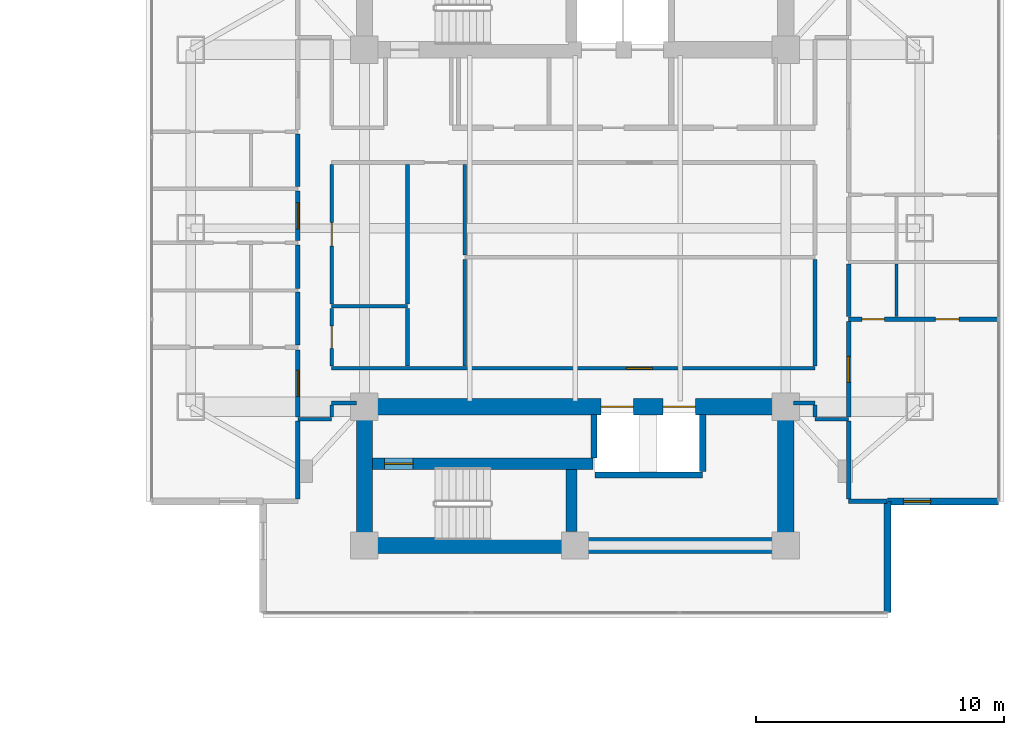
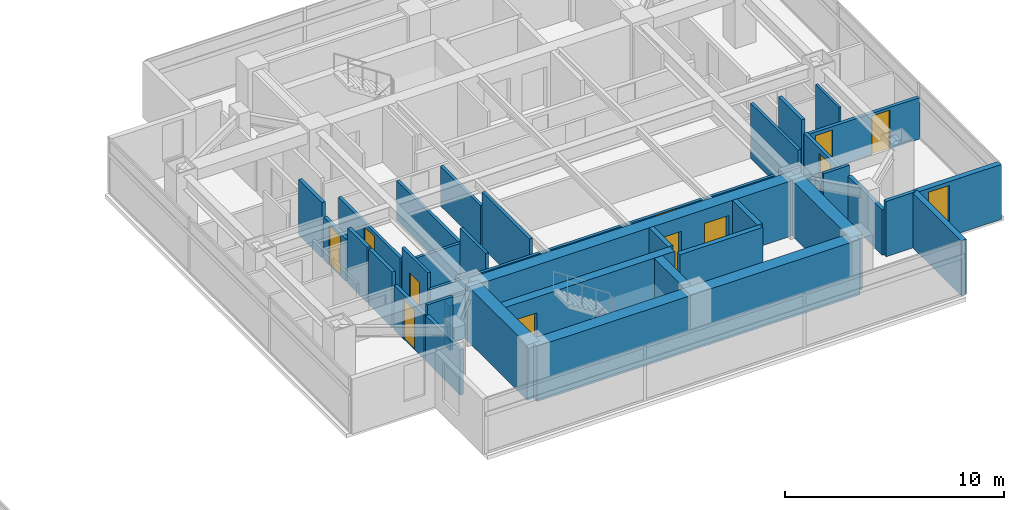
# One storey, part 18 of 26: 38 walls, 11 doors, 1 window, 12 openings.
"""IFC4 building model written with IfcOpenShell, lengths in metres."""

from ifc_helpers import new_model, si_unit, direction, frame, frame_2d, origin, place, context, subcontext, project, spatial, rectangle, extrude, material, layer, layer_set, type_object, element, fill, save


model = new_model("IFC4")

# Units and contexts
model_context = context("Model", 3, precision=1e-05, world=origin(), true_north=direction((0.0, 1.0)))
body_context = subcontext(model_context, "Body", "Model", "MODEL_VIEW")
ifc_project = project(units=[si_unit("LENGTHUNIT", "METRE"), si_unit("AREAUNIT", "SQUARE_METRE"), si_unit("VOLUMEUNIT", "CUBIC_METRE"), si_unit("PLANEANGLEUNIT", "RADIAN"), si_unit("MASSUNIT", "GRAM", prefix="KILO")], contexts=[model_context])

# Site, building, storey
site_placement = place(None, origin())
site = spatial("IfcSite", under=ifc_project, at=site_placement, CompositionType="ELEMENT")
building_placement = place(site_placement, origin())
building = spatial("IfcBuilding", under=site, at=building_placement, Name="Mirazonda Arch Towers", CompositionType="ELEMENT")
storey_placement = place(building_placement, frame((0.0, 0.0, 121.39990234375)))
storey = spatial("IfcBuildingStorey", under=building, at=storey_placement, Name="L34", CompositionType="ELEMENT", Elevation=121.39990234375)

# Wall, opening, door
ifc_material_1 = material(Name="Concrete C50/60", Category="concrete")
ifc_layer_1 = layer(ifc_material_1, 0.449951171875, Name="WALL-CORE-450")
ifc_layer_set_1 = layer_set([ifc_layer_1], Name="Concrete C50/60")
wall_type_1 = type_object("IfcWallType", Name="WALL-CORE-450", PredefinedType="SHEAR", material=ifc_layer_set_1)
wall_1_placement = place(storey_placement, frame((68.320068359375, 18.5, 0.0), z_axis=(0.0, 0.0, 1.0), x_axis=(1.0, 0.0, 0.0)))
wall_1 = element("IfcWall", 1, at=wall_1_placement, inside=storey, type_object=wall_type_1, Name="L34 Stair Core Shear Wall 014", PredefinedType="SHEAR", context=body_context, shape_type="SweptSolid", body=[
    extrude(rectangle(XDim=8.89990234375, YDim=0.449951171875, at=frame_2d((4.449951171875, 0.0))), origin(), (0.0, 0.0, 1.0), 3.080078125),
])
opening_1_placement = place(wall_1_placement, frame((0.4951171875, 0.0, 0.0)))
opening_1 = element("IfcOpeningElement", 2, at=opening_1_placement, cuts=wall_1, Name="Opening DR-135", PredefinedType="OPENING", context=body_context, shape_type="SweptSolid", body=[
    extrude(rectangle(XDim=1.14990234375, YDim=2.199951171875, at=frame_2d((0.574951171875, 1.10009765625))), frame((0.0, 0.23486328125, 0.0), z_axis=(0.0, -1.0, 0.0), x_axis=(1.0, 0.0, 0.0)), (0.0, 0.0, 1.0), 0.469970703125),
])
ifc_material_2 = material(Name="Architectural Brushed Steel S355", Category="steel")
door_type_1 = type_object("IfcDoorType", Name="DOOR-STAIR-FD90-1150", OperationType="NOTDEFINED", PredefinedType="DOOR", material=ifc_material_2)
door_1_placement = place(opening_1_placement, origin())
door_1 = element("IfcDoor", 3, at=door_1_placement, inside=storey, type_object=door_type_1, Name="L34 East Protected Stair South Door", OperationType="SINGLE_SWING_LEFT", OverallHeight=2.199951171875, OverallWidth=1.14990234375, PredefinedType="DOOR", context=body_context, shape_type="SweptSolid", body=[
    extrude(rectangle(XDim=1.14990234375, YDim=2.199951171875, at=frame_2d((0.574951171875, 1.10009765625))), frame((0.0, 0.02490234375, 0.0), z_axis=(0.0, -1.0, 0.0), x_axis=(1.0, 0.0, 0.0)), (0.0, 0.0, 1.0), 0.050048828125),
])
fill(opening_1, door_1)

# Walls
wall_2_placement = place(storey_placement, frame((76.360107421875, 15.764892578125, 0.0), z_axis=(0.0, 0.0, 1.0), x_axis=(0.0, 1.0, 0.0)))
element("IfcWall", 4, at=wall_2_placement, inside=storey, type_object=wall_type_1, Name="L34 Stair Core Shear Wall 140", PredefinedType="SHEAR", context=body_context, shape_type="SweptSolid", body=[
    extrude(rectangle(XDim=2.5, YDim=0.449951171875, at=frame_2d((1.25, 0.0))), origin(), (0.0, 0.0, 1.0), 3.080078125),
])
ifc_material_3 = material(Name="Concrete C60/75", Category="concrete")
ifc_layer_2 = layer(ifc_material_3, 0.64990234375, Name="WALL-CORE-650")
ifc_layer_set_2 = layer_set([ifc_layer_2], Name="Concrete C60/75")
wall_type_2 = type_object("IfcWallType", Name="WALL-CORE-650", PredefinedType="SHEAR", material=ifc_layer_set_2)
wall_3_placement = place(storey_placement, frame((68.0, 15.199951171875, 0.0), z_axis=(0.0, 0.0, 1.0), x_axis=(1.0, 0.0, 0.0)))
element("IfcWall", 5, at=wall_3_placement, inside=storey, type_object=wall_type_2, Name="L34 T2S-S Core Shear Wall", PredefinedType="SHEAR", context=body_context, shape_type="SweptSolid", body=[
    extrude(rectangle(XDim=17.0, YDim=0.64990234375, at=frame_2d((8.5, 0.0))), origin(), (0.0, 0.0, 1.0), 3.080078125),
])
for number, where, z_axis, x_axis, name in (
    (6, (68.0, 15.199951171875, 0.0), (0.0, 0.0, 1.0), (0.0, 1.0, 0.0), "L34 T2S-W Core Shear Wall"),
    (7, (85.0, 15.199951171875, 0.0), (0.0, 0.0, 1.0), (0.0, 1.0, 0.0), "L34 T2S-E Core Shear Wall"),
):
    element("IfcWall", number, at=place(storey_placement, frame(where, z_axis=z_axis, x_axis=x_axis)), inside=storey, type_object=wall_type_2, Name=name, PredefinedType="SHEAR", context=body_context, shape_type="SweptSolid", body=[
        extrude(rectangle(XDim=5.60009765625, YDim=0.64990234375, at=frame_2d((2.800048828125, 0.0))), origin(), (0.0, 0.0, 1.0), 3.080078125),
    ])

# Wall, openings, doors
wall_4_placement = place(storey_placement, frame((68.0, 20.800048828125, 0.0), z_axis=(0.0, 0.0, 1.0), x_axis=(1.0, 0.0, 0.0)))
wall_4 = element("IfcWall", 8, at=wall_4_placement, inside=storey, type_object=wall_type_2, Name="L34 T2S-N Core Shear Wall", PredefinedType="SHEAR", context=body_context, shape_type="SweptSolid", body=[
    extrude(rectangle(XDim=17.0, YDim=0.64990234375, at=frame_2d((8.5, 0.0))), origin(), (0.0, 0.0, 1.0), 3.080078125),
])
opening_2_placement = place(wall_4_placement, frame((9.550048828125, 0.0, 0.0)))
opening_2 = element("IfcOpeningElement", 9, at=opening_2_placement, cuts=wall_4, Name="Opening LD-111", PredefinedType="OPENING", context=body_context, shape_type="SweptSolid", body=[
    extrude(rectangle(XDim=1.300048828125, YDim=2.300048828125, at=frame_2d((0.64990234375, 1.14990234375))), frame((0.0, 0.3349609375, 0.0), z_axis=(0.0, -1.0, 0.0), x_axis=(1.0, 0.0, 0.0)), (0.0, 0.0, 1.0), 0.669921875),
])
opening_3_placement = place(wall_4_placement, frame((12.050048828125, 0.0, 0.0)))
opening_3 = element("IfcOpeningElement", 10, at=opening_3_placement, cuts=wall_4, Name="Opening LD-111", PredefinedType="OPENING", context=body_context, shape_type="SweptSolid", body=[
    extrude(rectangle(XDim=1.300048828125, YDim=2.300048828125, at=frame_2d((0.64990234375, 1.14990234375))), frame((0.0, 0.3349609375, 0.0), z_axis=(0.0, -1.0, 0.0), x_axis=(1.0, 0.0, 0.0)), (0.0, 0.0, 1.0), 0.669921875),
])
door_type_2 = type_object("IfcDoorType", Name="DOOR-LIFT-LAND-1300", OperationType="NOTDEFINED", PredefinedType="DOOR", material=ifc_material_2)
door_2_placement = place(opening_2_placement, origin())
door_2 = element("IfcDoor", 11, at=door_2_placement, inside=storey, type_object=door_type_2, Name="L34 Lift Landing Sliding Door PL-T2H1", OperationType="DOUBLE_DOOR_SLIDING", OverallHeight=2.300048828125, OverallWidth=1.300048828125, PredefinedType="DOOR", context=body_context, shape_type="SweptSolid", body=[
    extrude(rectangle(XDim=1.300048828125, YDim=2.300048828125, at=frame_2d((0.64990234375, 1.14990234375))), frame((0.0, 0.02490234375, 0.0), z_axis=(0.0, -1.0, 0.0), x_axis=(1.0, 0.0, 0.0)), (0.0, 0.0, 1.0), 0.050048828125),
])
fill(opening_2, door_2)
door_3_placement = place(opening_3_placement, origin())
door_3 = element("IfcDoor", 12, at=door_3_placement, inside=storey, type_object=door_type_2, Name="L34 Lift Landing Sliding Door PL-T2H2", OperationType="DOUBLE_DOOR_SLIDING", OverallHeight=2.300048828125, OverallWidth=1.300048828125, PredefinedType="DOOR", context=body_context, shape_type="SweptSolid", body=[
    extrude(rectangle(XDim=1.300048828125, YDim=2.300048828125, at=frame_2d((0.64990234375, 1.14990234375))), frame((0.0, 0.02490234375, 0.0), z_axis=(0.0, -1.0, 0.0), x_axis=(1.0, 0.0, 0.0)), (0.0, 0.0, 1.0), 0.050048828125),
])
fill(opening_3, door_3)

# Wall, opening, window
ifc_material_4 = material(Name="Precast Concrete C40/50", Category="concrete")
ifc_layer_3 = layer(ifc_material_4, 0.280029296875, Name="WALL-EXT-WALL-280")
ifc_layer_set_3 = layer_set([ifc_layer_3], Name="Precast Concrete C40/50")
wall_type_3 = type_object("IfcWallType", Name="WALL-EXT-WALL-280", PredefinedType="SOLIDWALL", material=ifc_layer_set_3)
wall_5_placement = place(storey_placement, frame((89.096435546875, 16.984130859375, 0.0), z_axis=(0.0, 0.0, 1.0), x_axis=(1.0, 0.0, 0.0)))
wall_5 = element("IfcWall", 13, at=wall_5_placement, inside=storey, type_object=wall_type_3, Name="L34 T2 Corner Notch Return Wall WL-L34-T2-CSE1", PredefinedType="SOLIDWALL", context=body_context, shape_type="SweptSolid", body=[
    extrude(rectangle(XDim=4.486572265625, YDim=0.280029296875, at=frame_2d((2.2431640625, 0.0))), origin(), (0.0, 0.0, 1.0), 3.06005859375),
])
opening_4_placement = place(wall_5_placement, frame((0.64990234375, 0.0, 0.85009765625)))
opening_4 = element("IfcOpeningElement", 14, at=opening_4_placement, cuts=wall_5, Name="Opening WN-108", PredefinedType="OPENING", context=body_context, shape_type="SweptSolid", body=[
    extrude(rectangle(XDim=1.10009765625, YDim=2.0, at=frame_2d((0.550048828125, 1.0))), frame((0.0, 0.14990234375, 0.0), z_axis=(0.0, -1.0, 0.0), x_axis=(1.0, 0.0, 0.0)), (0.0, 0.0, 1.0), 0.300048828125),
])
ifc_material_5 = material(Name="Insulated Low-E Solar Glass", Category="glass")
window_type = type_object("IfcWindowType", Name="WIN-NOTCH-1100x2000", PartitioningType="SINGLE_PANEL", PredefinedType="WINDOW", material=ifc_material_5)
window_placement = place(opening_4_placement, origin())
window = element("IfcWindow", 15, at=window_placement, inside=storey, type_object=window_type, Name="L34 Punched Facade Window WN-L34-T2-CSE1", OverallHeight=2.0, OverallWidth=1.10009765625, PartitioningType="SINGLE_PANEL", PredefinedType="WINDOW", context=body_context, shape_type="SweptSolid", body=[
    extrude(rectangle(XDim=1.10009765625, YDim=2.0, at=frame_2d((0.550048828125, 1.0))), frame((0.0, 0.030029296875, 0.0), z_axis=(0.0, -1.0, 0.0), x_axis=(1.0, 0.0, 0.0)), (0.0, 0.0, 1.0), 0.06005859375),
])
fill(opening_4, window)

# Walls
wall_6_placement = place(storey_placement, frame((89.096435546875, 12.497802734375, 0.0), z_axis=(0.0, 0.0, 1.0), x_axis=(0.0, 1.0, 0.0)))
element("IfcWall", 16, at=wall_6_placement, inside=storey, type_object=wall_type_3, Name="L34 T2 Corner Notch Return Wall WL-L34-T2-CSE2", PredefinedType="SOLIDWALL", context=body_context, shape_type="SweptSolid", body=[
    extrude(rectangle(XDim=4.486328125, YDim=0.280029296875, at=frame_2d((2.2431640625, 0.0))), origin(), (0.0, 0.0, 1.0), 3.06005859375),
])
ifc_material_6 = material(Name="Fire-Rated Gypsum Stud Partition")
ifc_layer_4 = layer(ifc_material_6, 0.14990234375, Name="WALL-PART-CORR-150")
ifc_layer_set_4 = layer_set([ifc_layer_4], Name="Fire-Rated Gypsum Stud Partition")
wall_type_4 = type_object("IfcWallType", Name="WALL-PART-CORR-150", PredefinedType="PARTITIONING", material=ifc_layer_set_4)
wall_7_placement = place(storey_placement, frame((65.320068359375, 20.300048828125, 0.0), z_axis=(0.0, 0.0, 1.0), x_axis=(1.0, 0.0, 0.0)))
element("IfcWall", 17, at=wall_7_placement, inside=storey, type_object=wall_type_4, Name="L34 Interior Partition 017", PredefinedType="PARTITIONING", context=body_context, shape_type="SweptSolid", body=[
    extrude(rectangle(XDim=1.35986328125, YDim=0.14990234375, at=frame_2d((0.679931640625, 0.0))), origin(), (0.0, 0.0, 1.0), 3.080078125),
])
wall_8_placement = place(storey_placement, frame((86.179931640625, 20.300048828125, 0.0), z_axis=(0.0, 0.0, 1.0), x_axis=(1.0, 0.0, 0.0)))
element("IfcWall", 18, at=wall_8_placement, inside=storey, type_object=wall_type_4, Name="L34 Interior Partition 018", PredefinedType="PARTITIONING", context=body_context, shape_type="SweptSolid", body=[
    extrude(rectangle(XDim=1.360107421875, YDim=0.14990234375, at=frame_2d((0.68017578125, 0.0))), origin(), (0.0, 0.0, 1.0), 3.080078125),
])
wall_9_placement = place(storey_placement, frame((66.679931640625, 20.949951171875, 0.0), z_axis=(0.0, 0.0, 1.0), x_axis=(1.0, 0.0, 0.0)))
element("IfcWall", 19, at=wall_9_placement, inside=storey, type_object=wall_type_4, Name="L34 Interior Partition 020", PredefinedType="PARTITIONING", context=body_context, shape_type="SweptSolid", body=[
    extrude(rectangle(XDim=1.0, YDim=0.14990234375, at=frame_2d((0.5, 0.0))), origin(), (0.0, 0.0, 1.0), 2.47216796875),
])
wall_10_placement = place(storey_placement, frame((85.320068359375, 20.949951171875, 0.0), z_axis=(0.0, 0.0, 1.0), x_axis=(1.0, 0.0, 0.0)))
element("IfcWall", 20, at=wall_10_placement, inside=storey, type_object=wall_type_4, Name="L34 Interior Partition 021", PredefinedType="PARTITIONING", context=body_context, shape_type="SweptSolid", body=[
    extrude(rectangle(XDim=0.85986328125, YDim=0.14990234375, at=frame_2d((0.429931640625, 0.0))), origin(), (0.0, 0.0, 1.0), 2.47216796875),
])

# Wall, opening, door
wall_11_placement = place(storey_placement, frame((66.679931640625, 22.35009765625, 0.0), z_axis=(0.0, 0.0, 1.0), x_axis=(1.0, 0.0, 0.0)))
wall_11 = element("IfcWall", 21, at=wall_11_placement, inside=storey, type_object=wall_type_4, Name="L34 Interior Partition 022", PredefinedType="PARTITIONING", context=body_context, shape_type="SweptSolid", body=[
    extrude(rectangle(XDim=19.5, YDim=0.14990234375, at=frame_2d((9.75, 0.0))), origin(), (0.0, 0.0, 1.0), 2.216064453125),
])
opening_5_placement = place(wall_11_placement, frame((11.889892578125, 0.0, 0.0)))
opening_5 = element("IfcOpeningElement", 22, at=opening_5_placement, cuts=wall_11, Name="Opening DR-121", PredefinedType="OPENING", context=body_context, shape_type="SweptSolid", body=[
    extrude(rectangle(XDim=1.050048828125, YDim=2.199951171875, at=frame_2d((0.52490234375, 1.10009765625))), frame((0.0, 0.0849609375, 0.0), z_axis=(0.0, -1.0, 0.0), x_axis=(1.0, 0.0, 0.0)), (0.0, 0.0, 1.0), 0.169921875),
])
door_type_3 = type_object("IfcDoorType", Name="DOOR-SUITE-FD60-1050", OperationType="NOTDEFINED", PredefinedType="DOOR", material=ifc_material_2)
door_4_placement = place(opening_5_placement, origin())
door_4 = element("IfcDoor", 23, at=door_4_placement, inside=storey, type_object=door_type_3, Name="L34 Chamber Music & Screening Salon Door", OperationType="SINGLE_SWING_RIGHT", OverallHeight=2.199951171875, OverallWidth=1.050048828125, PredefinedType="DOOR", context=body_context, shape_type="SweptSolid", body=[
    extrude(rectangle(XDim=1.050048828125, YDim=2.199951171875, at=frame_2d((0.52490234375, 1.10009765625))), frame((0.0, 0.02490234375, 0.0), z_axis=(0.0, -1.0, 0.0), x_axis=(1.0, 0.0, 0.0)), (0.0, 0.0, 1.0), 0.050048828125),
])
fill(opening_5, door_4)

# Walls
wall_12_placement = place(storey_placement, frame((66.679931640625, 24.85009765625, 0.0), z_axis=(0.0, 0.0, 1.0), x_axis=(1.0, 0.0, 0.0)))
element("IfcWall", 24, at=wall_12_placement, inside=storey, type_object=wall_type_4, Name="L34 Interior Partition 028", PredefinedType="PARTITIONING", context=body_context, shape_type="SweptSolid", body=[
    extrude(rectangle(XDim=3.070068359375, YDim=0.14990234375, at=frame_2d((1.53515625, 0.0))), origin(), (0.0, 0.0, 1.0), 2.216064453125),
])
wall_13_placement = place(storey_placement, frame((66.679931640625, 20.385009765625, 0.0), z_axis=(0.0, 0.0, 1.0), x_axis=(0.0, 1.0, 0.0)))
element("IfcWall", 25, at=wall_13_placement, inside=storey, type_object=wall_type_4, Name="L34 Interior Partition 128", PredefinedType="PARTITIONING", context=body_context, shape_type="SweptSolid", body=[
    extrude(rectangle(XDim=0.47998046875, YDim=0.14990234375, at=frame_2d((0.239990234375, 0.0))), origin(), (0.0, 0.0, 1.0), 2.47216796875),
])

# Wall, opening, door
wall_14_placement = place(storey_placement, frame((66.679931640625, 22.43505859375, 0.0), z_axis=(0.0, 0.0, 1.0), x_axis=(0.0, 1.0, 0.0)))
wall_14 = element("IfcWall", 26, at=wall_14_placement, inside=storey, type_object=wall_type_4, Name="L34 Interior Partition 129", PredefinedType="PARTITIONING", context=body_context, shape_type="SweptSolid", body=[
    extrude(rectangle(XDim=2.329833984375, YDim=0.14990234375, at=frame_2d((1.1650390625, 0.0))), origin(), (0.0, 0.0, 1.0), 3.080078125),
])
opening_6_placement = place(wall_14_placement, frame((0.715087890625, 0.0, 0.0)))
opening_6 = element("IfcOpeningElement", 27, at=opening_6_placement, cuts=wall_14, Name="Opening DR-120", PredefinedType="OPENING", context=body_context, shape_type="SweptSolid", body=[
    extrude(rectangle(XDim=0.89990234375, YDim=2.10009765625, at=frame_2d((0.449951171875, 1.050048828125))), frame((0.0, 0.0849609375, 0.0), z_axis=(0.0, -1.0, 0.0), x_axis=(1.0, 0.0, 0.0)), (0.0, 0.0, 1.0), 0.169921875),
])
door_type_4 = type_object("IfcDoorType", Name="DOOR-WC-900", OperationType="NOTDEFINED", PredefinedType="DOOR", material=ifc_material_2)
door_5_placement = place(opening_6_placement, origin())
door_5 = element("IfcDoor", 28, at=door_5_placement, inside=storey, type_object=door_type_4, Name="L34 Tower 2 Common Accessible WC Door", OperationType="SINGLE_SWING_RIGHT", OverallHeight=2.10009765625, OverallWidth=0.89990234375, PredefinedType="DOOR", context=body_context, shape_type="SweptSolid", body=[
    extrude(rectangle(XDim=0.89990234375, YDim=2.10009765625, at=frame_2d((0.449951171875, 1.050048828125))), frame((0.0, 0.02490234375, 0.0), z_axis=(0.0, -1.0, 0.0), x_axis=(1.0, 0.0, 0.0)), (0.0, 0.0, 1.0), 0.050048828125),
])
fill(opening_6, door_5)

wall_15_placement = place(storey_placement, frame((66.679931640625, 24.93505859375, 0.0), z_axis=(0.0, 0.0, 1.0), x_axis=(0.0, 1.0, 0.0)))
wall_15 = element("IfcWall", 29, at=wall_15_placement, inside=storey, type_object=wall_type_4, Name="L34 Interior Partition 130", PredefinedType="PARTITIONING", context=body_context, shape_type="SweptSolid", body=[
    extrude(rectangle(XDim=5.6298828125, YDim=0.14990234375, at=frame_2d((2.81494140625, 0.0))), origin(), (0.0, 0.0, 1.0), 2.3759765625),
])
opening_7_placement = place(wall_15_placement, frame((2.340087890625, 0.0, 0.0)))
opening_7 = element("IfcOpeningElement", 30, at=opening_7_placement, cuts=wall_15, Name="Opening DR-104", PredefinedType="OPENING", context=body_context, shape_type="SweptSolid", body=[
    extrude(rectangle(XDim=0.949951171875, YDim=2.14990234375, at=frame_2d((0.47509765625, 1.074951171875))), frame((0.0, 0.0849609375, 0.0), z_axis=(0.0, -1.0, 0.0), x_axis=(1.0, 0.0, 0.0)), (0.0, 0.0, 1.0), 0.169921875),
])
door_type_5 = type_object("IfcDoorType", Name="DOOR-ROOM-950", OperationType="NOTDEFINED", PredefinedType="DOOR", material=ifc_material_2)
door_6_placement = place(opening_7_placement, origin())
door_6 = element("IfcDoor", 31, at=door_6_placement, inside=storey, type_object=door_type_5, Name="L34 L34 East Courtyard Reading Study Door", OperationType="SINGLE_SWING_RIGHT", OverallHeight=2.14990234375, OverallWidth=0.949951171875, PredefinedType="DOOR", context=body_context, shape_type="SweptSolid", body=[
    extrude(rectangle(XDim=0.949951171875, YDim=2.14990234375, at=frame_2d((0.47509765625, 1.074951171875))), frame((0.0, 0.02490234375, 0.0), z_axis=(0.0, -1.0, 0.0), x_axis=(1.0, 0.0, 0.0)), (0.0, 0.0, 1.0), 0.050048828125),
])
fill(opening_7, door_6)

# Walls
wall_16_placement = place(storey_placement, frame((69.743408203125, 22.43505859375, 0.0), z_axis=(0.0, 0.0, 1.0), x_axis=(0.0, 1.0, 0.0)))
element("IfcWall", 32, at=wall_16_placement, inside=storey, type_object=wall_type_4, Name="L34 Interior Partition 133", PredefinedType="PARTITIONING", context=body_context, shape_type="SweptSolid", body=[
    extrude(rectangle(XDim=2.329833984375, YDim=0.14990234375, at=frame_2d((1.1650390625, 0.0))), origin(), (0.0, 0.0, 1.0), 3.080078125),
])
wall_17_placement = place(storey_placement, frame((69.743408203125, 24.93505859375, 0.0), z_axis=(0.0, 0.0, 1.0), x_axis=(0.0, 1.0, 0.0)))
element("IfcWall", 33, at=wall_17_placement, inside=storey, type_object=wall_type_4, Name="L34 Interior Partition 134", PredefinedType="PARTITIONING", context=body_context, shape_type="SweptSolid", body=[
    extrude(rectangle(XDim=5.6298828125, YDim=0.14990234375, at=frame_2d((2.81494140625, 0.0))), origin(), (0.0, 0.0, 1.0), 2.216064453125),
])
wall_18_placement = place(storey_placement, frame((72.050048828125, 22.43505859375, 0.0), z_axis=(0.0, 0.0, 1.0), x_axis=(0.0, 1.0, 0.0)))
element("IfcWall", 34, at=wall_18_placement, inside=storey, type_object=wall_type_4, Name="L34 Interior Partition 137", PredefinedType="PARTITIONING", context=body_context, shape_type="SweptSolid", body=[
    extrude(rectangle(XDim=4.31201171875, YDim=0.14990234375, at=frame_2d((2.156005859375, 0.0))), origin(), (0.0, 0.0, 1.0), 3.080078125),
])
wall_19_placement = place(storey_placement, frame((72.050048828125, 26.9169921875, 0.0), z_axis=(0.0, 0.0, 1.0), x_axis=(0.0, 1.0, 0.0)))
element("IfcWall", 35, at=wall_19_placement, inside=storey, type_object=wall_type_4, Name="L34 Interior Partition 138", PredefinedType="PARTITIONING", context=body_context, shape_type="SweptSolid", body=[
    extrude(rectangle(XDim=3.64794921875, YDim=0.14990234375, at=frame_2d((1.823974609375, 0.0))), origin(), (0.0, 0.0, 1.0), 2.216064453125),
])
wall_20_placement = place(storey_placement, frame((86.179931640625, 20.385009765625, 0.0), z_axis=(0.0, 0.0, 1.0), x_axis=(0.0, 1.0, 0.0)))
element("IfcWall", 36, at=wall_20_placement, inside=storey, type_object=wall_type_4, Name="L34 Interior Partition 148", PredefinedType="PARTITIONING", context=body_context, shape_type="SweptSolid", body=[
    extrude(rectangle(XDim=0.47998046875, YDim=0.14990234375, at=frame_2d((0.239990234375, 0.0))), origin(), (0.0, 0.0, 1.0), 2.47216796875),
])
wall_21_placement = place(storey_placement, frame((86.179931640625, 22.43505859375, 0.0), z_axis=(0.0, 0.0, 1.0), x_axis=(0.0, 1.0, 0.0)))
element("IfcWall", 37, at=wall_21_placement, inside=storey, type_object=wall_type_4, Name="L34 Interior Partition 149", PredefinedType="PARTITIONING", context=body_context, shape_type="SweptSolid", body=[
    extrude(rectangle(XDim=4.31201171875, YDim=0.14990234375, at=frame_2d((2.156005859375, 0.0))), origin(), (0.0, 0.0, 1.0), 3.080078125),
])
ifc_material_7 = material(Name="Fire-Rated Gypsum Twin-Stud Assembly")
ifc_layer_5 = layer(ifc_material_7, 0.179931640625, Name="WALL-PART-DEMISE-180")
ifc_layer_set_5 = layer_set([ifc_layer_5], Name="Fire-Rated Gypsum Twin-Stud Assembly")
wall_type_5 = type_object("IfcWallType", Name="WALL-PART-DEMISE-180", PredefinedType="PARTITIONING", material=ifc_layer_set_5)
wall_22_placement = place(storey_placement, frame((87.5400390625, 16.98388671875, 0.0), z_axis=(0.0, 0.0, 1.0), x_axis=(1.0, 0.0, 0.0)))
element("IfcWall", 38, at=wall_22_placement, inside=storey, type_object=wall_type_5, Name="L34 Interior Partition 010", PredefinedType="PARTITIONING", context=body_context, shape_type="SweptSolid", body=[
    extrude(rectangle(XDim=1.536376953125, YDim=0.179931640625, at=frame_2d((0.76806640625, 0.0))), origin(), (0.0, 0.0, 1.0), 3.080078125),
])

# Wall, openings, doors
wall_23_placement = place(storey_placement, frame((87.5400390625, 24.33203125, 0.0), z_axis=(0.0, 0.0, 1.0), x_axis=(1.0, 0.0, 0.0)))
wall_23 = element("IfcWall", 39, at=wall_23_placement, inside=storey, type_object=wall_type_5, Name="L34 Interior Partition 027", PredefinedType="PARTITIONING", context=body_context, shape_type="SweptSolid", body=[
    extrude(rectangle(XDim=6.04296875, YDim=0.179931640625, at=frame_2d((3.021484375, 0.0))), origin(), (0.0, 0.0, 1.0), 2.299072265625),
])
opening_8_placement = place(wall_23_placement, frame((3.493408203125, 0.0, 0.0)))
opening_8 = element("IfcOpeningElement", 40, at=opening_8_placement, cuts=wall_23, Name="Opening DR-104", PredefinedType="OPENING", context=body_context, shape_type="SweptSolid", body=[
    extrude(rectangle(XDim=0.949951171875, YDim=2.14990234375, at=frame_2d((0.47509765625, 1.074951171875))), frame((0.0, 0.099853515625, 0.0), z_axis=(0.0, -1.0, 0.0), x_axis=(1.0, 0.0, 0.0)), (0.0, 0.0, 1.0), 0.199951171875),
])
opening_9_placement = place(wall_23_placement, frame((0.537109375, 0.0, 0.0)))
opening_9 = element("IfcOpeningElement", 41, at=opening_9_placement, cuts=wall_23, Name="Opening DR-120", PredefinedType="OPENING", context=body_context, shape_type="SweptSolid", body=[
    extrude(rectangle(XDim=0.89990234375, YDim=2.10009765625, at=frame_2d((0.449951171875, 1.050048828125))), frame((0.0, 0.099853515625, 0.0), z_axis=(0.0, -1.0, 0.0), x_axis=(1.0, 0.0, 0.0)), (0.0, 0.0, 1.0), 0.199951171875),
])
door_7_placement = place(opening_8_placement, origin())
door_7 = element("IfcDoor", 42, at=door_7_placement, inside=storey, type_object=door_type_5, Name="L34 Studio 1 Galley Kitchen Door", OperationType="SINGLE_SWING_LEFT", OverallHeight=2.14990234375, OverallWidth=0.949951171875, PredefinedType="DOOR", context=body_context, shape_type="SweptSolid", body=[
    extrude(rectangle(XDim=0.949951171875, YDim=2.14990234375, at=frame_2d((0.47509765625, 1.074951171875))), frame((0.0, 0.02490234375, 0.0), z_axis=(0.0, -1.0, 0.0), x_axis=(1.0, 0.0, 0.0)), (0.0, 0.0, 1.0), 0.050048828125),
])
fill(opening_8, door_7)
door_8_placement = place(opening_9_placement, origin())
door_8 = element("IfcDoor", 43, at=door_8_placement, inside=storey, type_object=door_type_4, Name="L34 Studio 1 Bathroom Door", OperationType="SINGLE_SWING_RIGHT", OverallHeight=2.10009765625, OverallWidth=0.89990234375, PredefinedType="DOOR", context=body_context, shape_type="SweptSolid", body=[
    extrude(rectangle(XDim=0.89990234375, YDim=2.10009765625, at=frame_2d((0.449951171875, 1.050048828125))), frame((0.0, 0.02490234375, 0.0), z_axis=(0.0, -1.0, 0.0), x_axis=(1.0, 0.0, 0.0)), (0.0, 0.0, 1.0), 0.050048828125),
])
fill(opening_9, door_8)

# Wall
wall_24_placement = place(storey_placement, frame((65.320068359375, 17.083984375, 0.0), z_axis=(0.0, 0.0, 1.0), x_axis=(0.0, 1.0, 0.0)))
element("IfcWall", 44, at=wall_24_placement, inside=storey, type_object=wall_type_5, Name="L34 Interior Partition 120", PredefinedType="PARTITIONING", context=body_context, shape_type="SweptSolid", body=[
    extrude(rectangle(XDim=3.131103515625, YDim=0.179931640625, at=frame_2d((1.5654296875, 0.0))), origin(), (0.0, 0.0, 1.0), 2.523193359375),
])

# Wall, opening, door
wall_25_placement = place(storey_placement, frame((65.320068359375, 20.385009765625, 0.0), z_axis=(0.0, 0.0, 1.0), x_axis=(0.0, 1.0, 0.0)))
wall_25 = element("IfcWall", 45, at=wall_25_placement, inside=storey, type_object=wall_type_5, Name="L34 Interior Partition 121", PredefinedType="PARTITIONING", context=body_context, shape_type="SweptSolid", body=[
    extrude(rectangle(XDim=2.70703125, YDim=0.179931640625, at=frame_2d((1.353515625, 0.0))), origin(), (0.0, 0.0, 1.0), 2.47216796875),
])
opening_10_placement = place(wall_25_placement, frame((0.82861328125, 0.0, 0.0)))
opening_10 = element("IfcOpeningElement", 46, at=opening_10_placement, cuts=wall_25, Name="Opening DR-121", PredefinedType="OPENING", context=body_context, shape_type="SweptSolid", body=[
    extrude(rectangle(XDim=1.050048828125, YDim=2.199951171875, at=frame_2d((0.52490234375, 1.10009765625))), frame((0.0, 0.099853515625, 0.0), z_axis=(0.0, -1.0, 0.0), x_axis=(1.0, 0.0, 0.0)), (0.0, 0.0, 1.0), 0.199951171875),
])
door_9_placement = place(opening_10_placement, origin())
door_9 = element("IfcDoor", 47, at=door_9_placement, inside=storey, type_object=door_type_3, Name="L34 Studio Apartment 1 Living Salon Door", OperationType="SINGLE_SWING_LEFT", OverallHeight=2.199951171875, OverallWidth=1.050048828125, PredefinedType="DOOR", context=body_context, shape_type="SweptSolid", body=[
    extrude(rectangle(XDim=1.050048828125, YDim=2.199951171875, at=frame_2d((0.52490234375, 1.10009765625))), frame((0.0, 0.02490234375, 0.0), z_axis=(0.0, -1.0, 0.0), x_axis=(1.0, 0.0, 0.0)), (0.0, 0.0, 1.0), 0.050048828125),
])
fill(opening_10, door_9)

# Walls
wall_26_placement = place(storey_placement, frame((65.320068359375, 23.2919921875, 0.0), z_axis=(0.0, 0.0, 1.0), x_axis=(0.0, 1.0, 0.0)))
element("IfcWall", 48, at=wall_26_placement, inside=storey, type_object=wall_type_5, Name="L34 Interior Partition 122", PredefinedType="PARTITIONING", context=body_context, shape_type="SweptSolid", body=[
    extrude(rectangle(XDim=2.12744140625, YDim=0.179931640625, at=frame_2d((1.063720703125, 0.0))), origin(), (0.0, 0.0, 1.0), 3.080078125),
])
wall_27_placement = place(storey_placement, frame((65.320068359375, 25.564453125, 0.0), z_axis=(0.0, 0.0, 1.0), x_axis=(0.0, 1.0, 0.0)))
element("IfcWall", 49, at=wall_27_placement, inside=storey, type_object=wall_type_5, Name="L34 Interior Partition 123", PredefinedType="PARTITIONING", context=body_context, shape_type="SweptSolid", body=[
    extrude(rectangle(XDim=1.762451171875, YDim=0.179931640625, at=frame_2d((0.88134765625, 0.0))), origin(), (0.0, 0.0, 1.0), 3.080078125),
])

# Wall, opening, door
wall_28_placement = place(storey_placement, frame((65.320068359375, 27.4970703125, 0.0), z_axis=(0.0, 0.0, 1.0), x_axis=(0.0, 1.0, 0.0)))
wall_28 = element("IfcWall", 50, at=wall_28_placement, inside=storey, type_object=wall_type_5, Name="L34 Interior Partition 124", PredefinedType="PARTITIONING", context=body_context, shape_type="SweptSolid", body=[
    extrude(rectangle(XDim=2.013916015625, YDim=0.179931640625, at=frame_2d((1.0068359375, 0.0))), origin(), (0.0, 0.0, 1.0), 2.3759765625),
])
opening_11_placement = place(wall_28_placement, frame((0.48193359375, 0.0, 0.0)))
opening_11 = element("IfcOpeningElement", 51, at=opening_11_placement, cuts=wall_28, Name="Opening DR-121", PredefinedType="OPENING", context=body_context, shape_type="SweptSolid", body=[
    extrude(rectangle(XDim=1.050048828125, YDim=2.199951171875, at=frame_2d((0.52490234375, 1.10009765625))), frame((0.0, 0.099853515625, 0.0), z_axis=(0.0, -1.0, 0.0), x_axis=(1.0, 0.0, 0.0)), (0.0, 0.0, 1.0), 0.199951171875),
])
door_10_placement = place(opening_11_placement, origin())
door_10 = element("IfcDoor", 52, at=door_10_placement, inside=storey, type_object=door_type_3, Name="L34 Studio Apartment 2 Living Salon Door", OperationType="SINGLE_SWING_RIGHT", OverallHeight=2.199951171875, OverallWidth=1.050048828125, PredefinedType="DOOR", context=body_context, shape_type="SweptSolid", body=[
    extrude(rectangle(XDim=1.050048828125, YDim=2.199951171875, at=frame_2d((0.52490234375, 1.10009765625))), frame((0.0, 0.02490234375, 0.0), z_axis=(0.0, -1.0, 0.0), x_axis=(1.0, 0.0, 0.0)), (0.0, 0.0, 1.0), 0.050048828125),
])
fill(opening_11, door_10)

# Walls
wall_29_placement = place(storey_placement, frame((65.320068359375, 29.680908203125, 0.0), z_axis=(0.0, 0.0, 1.0), x_axis=(0.0, 1.0, 0.0)))
element("IfcWall", 53, at=wall_29_placement, inside=storey, type_object=wall_type_5, Name="L34 Interior Partition 125", PredefinedType="PARTITIONING", context=body_context, shape_type="SweptSolid", body=[
    extrude(rectangle(XDim=2.130126953125, YDim=0.179931640625, at=frame_2d((1.06494140625, 0.0))), origin(), (0.0, 0.0, 1.0), 3.080078125),
])
wall_30_placement = place(storey_placement, frame((87.5400390625, 17.083984375, 0.0), z_axis=(0.0, 0.0, 1.0), x_axis=(0.0, 1.0, 0.0)))
element("IfcWall", 54, at=wall_30_placement, inside=storey, type_object=wall_type_5, Name="L34 Interior Partition 152", PredefinedType="PARTITIONING", context=body_context, shape_type="SweptSolid", body=[
    extrude(rectangle(XDim=3.131103515625, YDim=0.179931640625, at=frame_2d((1.5654296875, 0.0))), origin(), (0.0, 0.0, 1.0), 2.523193359375),
])

# Wall, opening, door
wall_31_placement = place(storey_placement, frame((87.5400390625, 20.385009765625, 0.0), z_axis=(0.0, 0.0, 1.0), x_axis=(0.0, 1.0, 0.0)))
wall_31 = element("IfcWall", 55, at=wall_31_placement, inside=storey, type_object=wall_type_5, Name="L34 Interior Partition 153", PredefinedType="PARTITIONING", context=body_context, shape_type="SweptSolid", body=[
    extrude(rectangle(XDim=3.846923828125, YDim=0.179931640625, at=frame_2d((1.92333984375, 0.0))), origin(), (0.0, 0.0, 1.0), 2.47216796875),
])
opening_12_placement = place(wall_31_placement, frame((1.3984375, 0.0, 0.0)))
opening_12 = element("IfcOpeningElement", 56, at=opening_12_placement, cuts=wall_31, Name="Opening DR-121", PredefinedType="OPENING", context=body_context, shape_type="SweptSolid", body=[
    extrude(rectangle(XDim=1.050048828125, YDim=2.199951171875, at=frame_2d((0.52490234375, 1.10009765625))), frame((0.0, 0.099853515625, 0.0), z_axis=(0.0, -1.0, 0.0), x_axis=(1.0, 0.0, 0.0)), (0.0, 0.0, 1.0), 0.199951171875),
])
door_11_placement = place(opening_12_placement, origin())
door_11 = element("IfcDoor", 57, at=door_11_placement, inside=storey, type_object=door_type_3, Name="L34 Studio Apartment 1 Living Salon Door", OperationType="SINGLE_SWING_RIGHT", OverallHeight=2.199951171875, OverallWidth=1.050048828125, PredefinedType="DOOR", context=body_context, shape_type="SweptSolid", body=[
    extrude(rectangle(XDim=1.050048828125, YDim=2.199951171875, at=frame_2d((0.52490234375, 1.10009765625))), frame((0.0, 0.02490234375, 0.0), z_axis=(0.0, -1.0, 0.0), x_axis=(1.0, 0.0, 0.0)), (0.0, 0.0, 1.0), 0.050048828125),
])
fill(opening_12, door_11)

# Walls
wall_32_placement = place(storey_placement, frame((87.5400390625, 24.431884765625, 0.0), z_axis=(0.0, 0.0, 1.0), x_axis=(0.0, 1.0, 0.0)))
element("IfcWall", 58, at=wall_32_placement, inside=storey, type_object=wall_type_5, Name="L34 Interior Partition 154", PredefinedType="PARTITIONING", context=body_context, shape_type="SweptSolid", body=[
    extrude(rectangle(XDim=2.127685546875, YDim=0.179931640625, at=frame_2d((1.06396484375, 0.0))), origin(), (0.0, 0.0, 1.0), 3.080078125),
])
ifc_material_8 = material(Name="Acoustic Fire-Rated Gypsum Partition")
ifc_layer_6 = layer(ifc_material_8, 0.125, Name="WALL-PART-UNIT-125")
ifc_layer_set_6 = layer_set([ifc_layer_6], Name="Acoustic Fire-Rated Gypsum Partition")
wall_type_6 = type_object("IfcWallType", Name="WALL-PART-UNIT-125", PredefinedType="PARTITIONING", material=ifc_layer_set_6)
wall_33_placement = place(storey_placement, frame((89.47412109375, 24.431884765625, 0.0), z_axis=(0.0, 0.0, 1.0), x_axis=(0.0, 1.0, 0.0)))
element("IfcWall", 59, at=wall_33_placement, inside=storey, type_object=wall_type_6, Name="L34 Interior Partition 158", PredefinedType="PARTITIONING", context=body_context, shape_type="SweptSolid", body=[
    extrude(rectangle(XDim=2.127685546875, YDim=0.125, at=frame_2d((1.06396484375, 0.0))), origin(), (0.0, 0.0, 1.0), 3.080078125),
])
ifc_material_9 = material(Name="Concrete C40/50", Category="concrete")
ifc_layer_7 = layer(ifc_material_9, 0.25, Name="WALL-SHAFT-250")
ifc_layer_set_7 = layer_set([ifc_layer_7], Name="Concrete C40/50")
wall_type_7 = type_object("IfcWallType", Name="WALL-SHAFT-250", PredefinedType="SOLIDWALL", material=ifc_layer_set_7)
wall_34_placement = place(storey_placement, frame((77.300048828125, 18.050048828125, 0.0), z_axis=(0.0, 0.0, 1.0), x_axis=(1.0, 0.0, 0.0)))
element("IfcWall", 60, at=wall_34_placement, inside=storey, type_object=wall_type_7, Name="L34 Interior Partition 011", PredefinedType="SOLIDWALL", context=body_context, shape_type="SweptSolid", body=[
    extrude(rectangle(XDim=4.349853515625, YDim=0.25, at=frame_2d((2.1748046875, 0.0))), origin(), (0.0, 0.0, 1.0), 3.080078125),
])
wall_35_placement = place(storey_placement, frame((77.260009765625, 18.735107421875, 0.0), z_axis=(0.0, 0.0, 1.0), x_axis=(0.0, 1.0, 0.0)))
element("IfcWall", 61, at=wall_35_placement, inside=storey, type_object=wall_type_7, Name="L34 Interior Partition 142", PredefinedType="SOLIDWALL", context=body_context, shape_type="SweptSolid", body=[
    extrude(rectangle(XDim=1.744873046875, YDim=0.25, at=frame_2d((0.87255859375, 0.0))), origin(), (0.0, 0.0, 1.0), 3.080078125),
])
wall_36_placement = place(storey_placement, frame((81.64990234375, 18.18505859375, 0.0), z_axis=(0.0, 0.0, 1.0), x_axis=(0.0, 1.0, 0.0)))
element("IfcWall", 62, at=wall_36_placement, inside=storey, type_object=wall_type_7, Name="L34 Interior Partition 146", PredefinedType="SOLIDWALL", context=body_context, shape_type="SweptSolid", body=[
    extrude(rectangle(XDim=2.294921875, YDim=0.25, at=frame_2d((1.1474609375, 0.0))), origin(), (0.0, 0.0, 1.0), 3.080078125),
])

save(model, "model.ifc")
